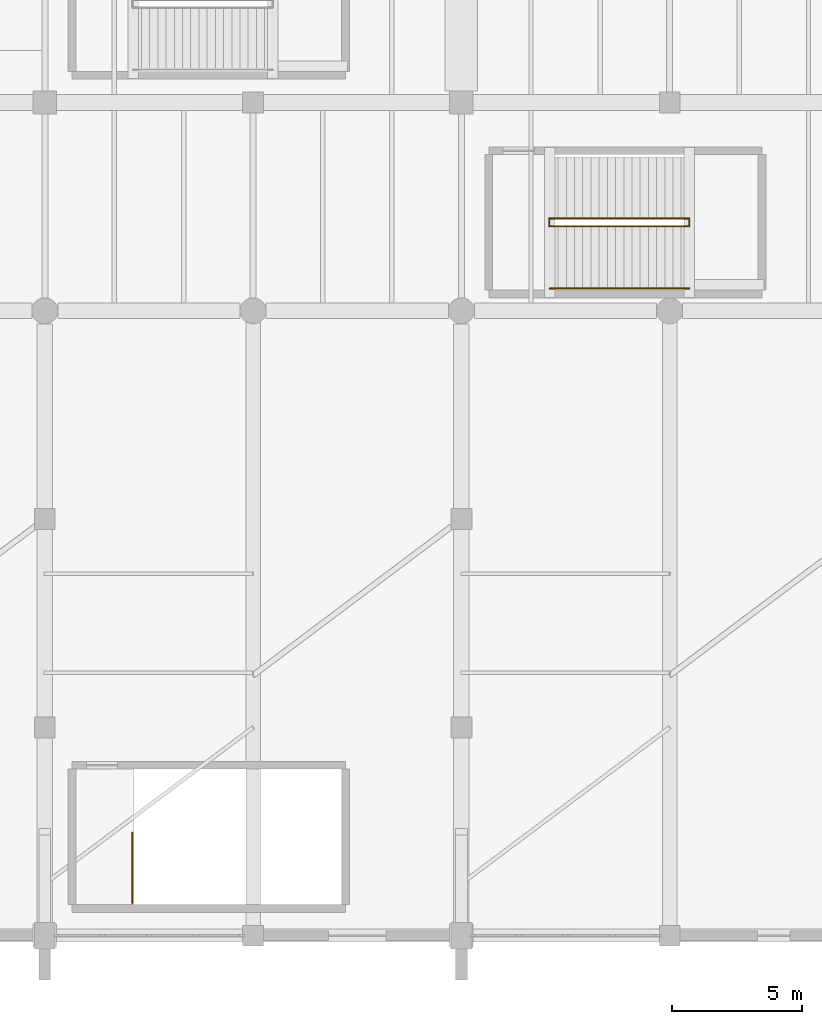
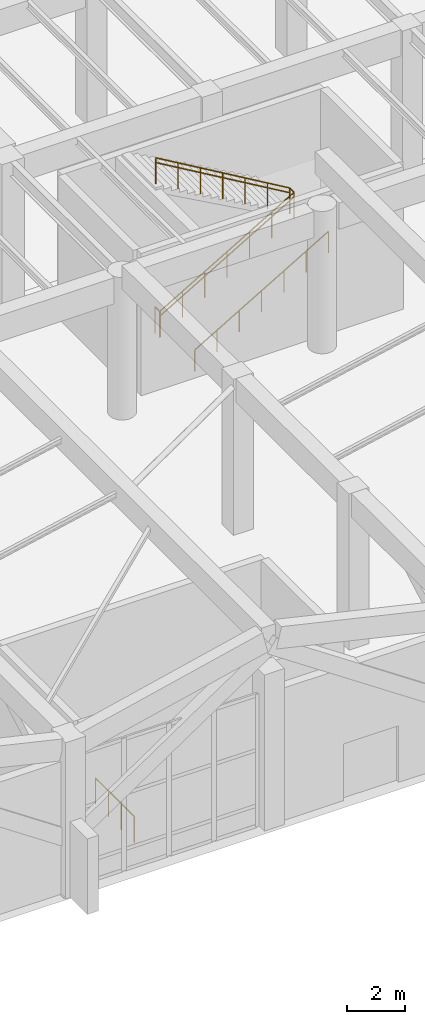
# One storey, part 46 of 51: 7 railings.
"""IFC4 building model written with IfcOpenShell, lengths in metres."""

import ifcopenshell
import ifcopenshell.guid

model = None  # the IFC model being written
_history = None  # IfcOwnerHistory: only IFC2X3 demands one
_inside = {}  # id of a spatial element -> (the spatial element, [elements in it])
_under = {}  # id of a project, library or spatial element -> (it, [spatial elements below it])
_declared = {}  # id of a project -> (the project, [libraries it declares])
_typed = {}  # id of a type object -> (the type object, [elements of that type])
_made_of = {}  # id of a material, layer set ... -> (it, [elements and type objects made of it])


def new_model(schema):
    """Start an empty IFC model of exactly this schema.

    Asked for "IFC4X3", IfcOpenShell would pick the latest addendum, in which some entities
    have other attributes; the version numbers below select the first issue.
    IFC2X3 requires an IfcOwnerHistory on every rooted entity: one is made here for all.
    """
    global model, _history
    if schema == "IFC4X3":
        model = ifcopenshell.file(schema_version=(4, 3, 0, 0))
    else:
        model = ifcopenshell.file(schema=schema)
    _inside.clear()
    _under.clear()
    _declared.clear()
    _typed.clear()
    _made_of.clear()
    _history = None
    if model.schema == "IFC2X3":
        org = make("IfcOrganization", Name="unknown")
        user = make(
            "IfcPersonAndOrganization",
            ThePerson=make("IfcPerson", FamilyName="unknown"),
            TheOrganization=org,
        )
        app = make(
            "IfcApplication",
            ApplicationDeveloper=org,
            Version="unknown",
            ApplicationFullName="unknown",
            ApplicationIdentifier="unknown",
        )
        _history = make(
            "IfcOwnerHistory",
            OwningUser=user,
            OwningApplication=app,
            ChangeAction="ADDED",
            CreationDate=0,
        )
    return model


def make(cls, **values):
    """One entity of the class cls with the attributes given. An attribute that is None is left unset."""
    return model.create_entity(
        cls, **{name: value for name, value in values.items() if value is not None}
    )


def rooted(cls, **values):
    """An entity with a GlobalId (a new one), such as an element, a storey or a relation."""
    return make(cls, GlobalId=ifcopenshell.guid.new(), OwnerHistory=_history, **values)


def si_unit(unit_type, name, prefix=None):
    """IfcSIUnit, for example si_unit("LENGTHUNIT", "METRE", prefix="MILLI")."""
    return make("IfcSIUnit", UnitType=unit_type, Prefix=prefix, Name=name)


def assignment(units):
    """IfcUnitAssignment: the units of a project."""
    return None if units is None else make("IfcUnitAssignment", Units=units)


def point(xyz):
    """IfcCartesianPoint."""
    return None if xyz is None else make("IfcCartesianPoint", Coordinates=xyz)


def direction(xyz):
    """IfcDirection."""
    return None if xyz is None else make("IfcDirection", DirectionRatios=xyz)


def frame(location, z_axis=None, x_axis=None):
    """IfcAxis2Placement3D, a coordinate frame: its origin and axes. An axis left out is left unset."""
    return make(
        "IfcAxis2Placement3D",
        Location=point(location),
        Axis=direction(z_axis),
        RefDirection=direction(x_axis),
    )


def frame_2d(location, x_axis=None):
    """IfcAxis2Placement2D, a coordinate frame in the plane: its origin and x axis."""
    return make(
        "IfcAxis2Placement2D", Location=point(location), RefDirection=direction(x_axis)
    )


def origin():
    """The frame at (0, 0, 0) with its axes left unset."""
    return frame((0.0, 0.0, 0.0))


def origin_2d():
    """The frame at (0, 0) in the plane with its x axis left unset."""
    return frame_2d((0.0, 0.0))


def place(relative_to, where):
    """IfcLocalPlacement: puts the frame where relative to a parent placement (None: the world)."""
    return make(
        "IfcLocalPlacement", PlacementRelTo=relative_to, RelativePlacement=where
    )


def context(
    kind, dimensions, precision=None, world=None, true_north=None, identifier=None
):
    """IfcGeometricRepresentationContext, for example the 3D "Model" context."""
    return make(
        "IfcGeometricRepresentationContext",
        ContextIdentifier=identifier,
        ContextType=kind,
        CoordinateSpaceDimension=dimensions,
        Precision=precision,
        WorldCoordinateSystem=world,
        TrueNorth=true_north,
    )


def subcontext(parent, identifier, kind, view, scale=None):
    """IfcGeometricRepresentationSubContext, for example "Body" below "Model"."""
    return make(
        "IfcGeometricRepresentationSubContext",
        ContextIdentifier=identifier,
        ContextType=kind,
        ParentContext=parent,
        TargetScale=scale,
        TargetView=view,
    )


def project(units=None, contexts=None):
    """IfcProject with its units and contexts."""
    return rooted(
        "IfcProject",
        Name="project",
        RepresentationContexts=contexts,
        UnitsInContext=assignment(units),
    )


def spatial(cls, under=None, at=None, **own):
    """A site, building, storey or space (cls), placed at a placement, below another one or the project."""
    s = rooted(cls, ObjectPlacement=at, **own)
    if under is not None:
        _under.setdefault(under.id(), (under, []))[1].append(s)
    return s


def profile(cls, at=None, kind="AREA", **sizes):
    """A parametric profile (cls). Its sizes go by their IFC names, for example OverallWidth=200.0."""
    return make(cls, ProfileType=kind, Position=at, **sizes)


def circle(**sizes):
    """IfcCircleProfileDef."""
    return profile("IfcCircleProfileDef", **sizes)


def extrude(swept, where, along, depth):
    """IfcExtrudedAreaSolid: the profile swept, set in the frame where, extruded along a direction by depth."""
    return make(
        "IfcExtrudedAreaSolid",
        SweptArea=swept,
        Position=where,
        ExtrudedDirection=direction(along),
        Depth=depth,
    )


def shape(context_of_items, identifier, shape_type, items):
    """IfcShapeRepresentation: the items that make up one representation, for example the "Body"."""
    return make(
        "IfcShapeRepresentation",
        ContextOfItems=context_of_items,
        RepresentationIdentifier=identifier,
        RepresentationType=shape_type,
        Items=items,
    )


def material(Name=None, Category=None):
    """IfcMaterial."""
    return make("IfcMaterial", Name=Name, Category=Category)


def made_of(thing, what):
    """Note that an element or type object is made of a material, layer set ...; save() writes the relation."""
    if what is not None:
        _made_of.setdefault(what.id(), (what, []))[1].append(thing)
    return thing


def type_object(cls, material=None, **own):
    """A type object (cls), such as IfcWallType, which elements share."""
    return made_of(rooted(cls, **own), material)


def element(
    cls,
    number,
    at=None,
    inside=None,
    cuts=None,
    type_object=None,
    material=None,
    context=None,
    identifier="Body",
    shape_type=None,
    held_by="IfcProductDefinitionShape",
    body=None,
    shapes=None,
    **own,
):
    """One element of the class cls, such as IfcWall. Its Tag is "e" and its number.

    at: its placement. inside: the storey or other place that contains it. cuts: it is an
    opening in that element (IfcRelVoidsElement). A single representation is given by context,
    identifier, shape_type and body (its items); several are given by shapes. held_by: the class
    of the entity that holds the representations. save() writes the other relations.
    """
    e = rooted(cls, Tag="e%d" % number, ObjectPlacement=at, **own)
    if body is not None:
        shapes = [shape(context, identifier, shape_type, body)]
    if shapes is not None:
        e.Representation = make(held_by, Representations=shapes)
    if inside is not None:
        _inside.setdefault(inside.id(), (inside, []))[1].append(e)
    if cuts is not None:
        rooted(
            "IfcRelVoidsElement", RelatingBuildingElement=cuts, RelatedOpeningElement=e
        )
    if type_object is not None:
        _typed.setdefault(type_object.id(), (type_object, []))[1].append(e)
    return made_of(e, material)


def aggregate(whole, parts):
    """IfcRelAggregates: a whole, such as a stair, and the parts it consists of."""
    return rooted("IfcRelAggregates", RelatingObject=whole, RelatedObjects=parts)


def save(model, path):
    """Write the relations noted so far, then the file.

    IfcRelAggregates (storeys below a building ...), IfcRelContainedInSpatialStructure (elements
    in a storey), IfcRelDefinesByType, IfcRelAssociatesMaterial and IfcRelDeclares: one each for
    every whole, place, type object, material and project.
    """
    for whole, parts in _under.values():
        aggregate(whole, parts)
    for where, things in _inside.values():
        rooted(
            "IfcRelContainedInSpatialStructure",
            RelatedElements=things,
            RelatingStructure=where,
        )
    for kind, things in _typed.values():
        rooted("IfcRelDefinesByType", RelatedObjects=things, RelatingType=kind)
    for what, things in _made_of.values():
        rooted("IfcRelAssociatesMaterial", RelatedObjects=things, RelatingMaterial=what)
    for by, libraries in _declared.values():
        rooted("IfcRelDeclares", RelatingContext=by, RelatedDefinitions=libraries)
    model.write(path)


model = new_model("IFC4")

# Units and contexts
model_context = context("Model", 3, precision=1e-05, world=origin(), true_north=direction((0.0, 1.0)))
body_context = subcontext(model_context, "Body", "Model", "MODEL_VIEW")
ifc_project = project(units=[si_unit("LENGTHUNIT", "METRE"), si_unit("AREAUNIT", "SQUARE_METRE"), si_unit("VOLUMEUNIT", "CUBIC_METRE"), si_unit("PLANEANGLEUNIT", "RADIAN"), si_unit("MASSUNIT", "GRAM", prefix="KILO")], contexts=[model_context])

# Site, building, storey
site_placement = place(None, origin())
site = spatial("IfcSite", under=ifc_project, at=site_placement, CompositionType="ELEMENT")
building_placement = place(site_placement, origin())
building = spatial("IfcBuilding", under=site, at=building_placement, Name="Varnela Railside Interchange", CompositionType="ELEMENT")
storey_placement = place(building_placement, origin())
storey = spatial("IfcBuildingStorey", under=building, at=storey_placement, Name="L00", CompositionType="ELEMENT", Elevation=0.0)

# Railings
ifc_material = material(Name="Steel AR 350 (350 MPa)", Category="steel")
railing_type_1 = type_object("IfcRailingType", Name="Stair & Ramp Pitch Handrail HR-01", PredefinedType="HANDRAIL", material=ifc_material)
railing_1_placement = place(storey_placement, frame((119.39990234375, 33.25, 0.0)))
element("IfcRailing", 1, at=railing_1_placement, inside=storey, type_object=railing_type_1, Name="Stair Handrail ST-M2 Flight 1 (RL-0232)", PredefinedType="HANDRAIL", context=body_context, shape_type="SweptSolid", body=[
    extrude(circle(Radius=0.02392578125, at=origin_2d()), frame((0.0, 0.0, 0.89599609375), z_axis=(0.861940276329, 0.0, 0.507009822431), x_axis=(0.0, 1.0, 0.0)), (0.0, 0.0, 1.0), 6.212646484375),
    extrude(circle(Radius=0.02099609375, at=origin_2d()), origin(), (0.0, 0.0, 1.0), 0.871826171875),
    extrude(circle(Radius=0.02099609375, at=origin_2d()), frame((0.892578125, 0.0, 0.52490234375)), (0.0, 0.0, 1.0), 0.871826171875),
    extrude(circle(Radius=0.02099609375, at=origin_2d()), frame((1.784912109375, 0.0, 1.050048828125)), (0.0, 0.0, 1.0), 0.871826171875),
    extrude(circle(Radius=0.02099609375, at=origin_2d()), frame((2.677490234375, 0.0, 1.574951171875)), (0.0, 0.0, 1.0), 0.871826171875),
    extrude(circle(Radius=0.02099609375, at=origin_2d()), frame((3.570068359375, 0.0, 2.099853515625)), (0.0, 0.0, 1.0), 0.871826171875),
    extrude(circle(Radius=0.02099609375, at=origin_2d()), frame((4.46240234375, 0.0, 2.625)), (0.0, 0.0, 1.0), 0.871826171875),
    extrude(circle(Radius=0.02099609375, at=origin_2d()), frame((5.35498046875, 0.0, 3.14990234375)), (0.0, 0.0, 1.0), 0.871826171875),
])
railing_2_placement = place(storey_placement, frame((124.7548828125, 33.550048828125, 3.14990234375)))
element("IfcRailing", 2, at=railing_2_placement, inside=storey, type_object=railing_type_1, Name="Stair Handrail ST-M2 Flight 2 (RL-0233)", PredefinedType="HANDRAIL", context=body_context, shape_type="SweptSolid", body=[
    extrude(circle(Radius=0.02392578125, at=origin_2d()), frame((0.0, 0.0, 0.89599609375), z_axis=(-0.861923102912, 0.0, 0.507039016908), x_axis=(0.0, -1.0, 0.0)), (0.0, 0.0, 1.0), 6.212890625),
    extrude(circle(Radius=0.02099609375, at=origin_2d()), origin(), (0.0, 0.0, 1.0), 0.871826171875),
    extrude(circle(Radius=0.02099609375, at=origin_2d()), frame((-0.892578125, 0.0, 0.52490234375)), (0.0, 0.0, 1.0), 0.871826171875),
    extrude(circle(Radius=0.02099609375, at=origin_2d()), frame((-1.784912109375, 0.0, 1.050048828125)), (0.0, 0.0, 1.0), 0.871826171875),
    extrude(circle(Radius=0.02099609375, at=origin_2d()), frame((-2.677490234375, 0.0, 1.5751953125)), (0.0, 0.0, 1.0), 0.871826171875),
    extrude(circle(Radius=0.02099609375, at=origin_2d()), frame((-3.570068359375, 0.0, 2.10009765625)), (0.0, 0.0, 1.0), 0.871826171875),
    extrude(circle(Radius=0.02099609375, at=origin_2d()), frame((-4.46240234375, 0.0, 2.625)), (0.0, 0.0, 1.0), 0.871826171875),
    extrude(circle(Radius=0.02099609375, at=origin_2d()), frame((-5.35498046875, 0.0, 3.150146484375)), (0.0, 0.0, 1.0), 0.871826171875),
])
railing_type_2 = type_object("IfcRailingType", Name="Stair Well & Landing Guard GR-02", PredefinedType="GUARDRAIL", material=ifc_material)
railing_3_placement = place(storey_placement, frame((119.3701171875, 33.25, 0.0)))
element("IfcRailing", 3, at=railing_3_placement, inside=storey, type_object=railing_type_2, Name="Stair Well Slot Guard ST-M2 on L00 (RL-0199)", PredefinedType="GUARDRAIL", context=body_context, shape_type="SweptSolid", body=[
    extrude(circle(Radius=0.02392578125, at=origin_2d()), frame((0.0, 0.0, 1.09619140625), z_axis=(0.0, 1.0, 0.0), x_axis=(-1.0, 0.0, 0.0)), (0.0, 0.0, 1.0), 0.300048828125),
    extrude(circle(Radius=0.02099609375, at=origin_2d()), origin(), (0.0, 0.0, 1.0), 1.072021484375),
    extrude(circle(Radius=0.02099609375, at=origin_2d()), frame((0.0, 0.300048828125, 0.0)), (0.0, 0.0, 1.0), 1.072021484375),
])
railing_4_placement = place(storey_placement, frame((119.39990234375, 33.25, 0.0)))
element("IfcRailing", 4, at=railing_4_placement, inside=storey, type_object=railing_type_2, Name="Stair Guard ST-M2 Half-Landing (RL-0197)", PredefinedType="GUARDRAIL", context=body_context, shape_type="SweptSolid", body=[
    extrude(circle(Radius=0.02392578125, at=origin_2d()), frame((0.0, 0.0, 1.09619140625), z_axis=(0.861940276329, 0.0, 0.507009822431), x_axis=(0.0, 1.0, 0.0)), (0.0, 0.0, 1.0), 6.212646484375),
    extrude(circle(Radius=0.02392578125, at=origin_2d()), frame((5.35498046875, 0.0, 4.24609375), z_axis=(0.0, 1.0, 0.0), x_axis=(-1.0, 0.0, 0.0)), (0.0, 0.0, 1.0), 0.300048828125),
    extrude(circle(Radius=0.02099609375, at=origin_2d()), origin(), (0.0, 0.0, 1.0), 1.072021484375),
    extrude(circle(Radius=0.02099609375, at=origin_2d()), frame((0.892578125, 0.0, 0.52490234375)), (0.0, 0.0, 1.0), 1.072021484375),
    extrude(circle(Radius=0.02099609375, at=origin_2d()), frame((1.784912109375, 0.0, 1.050048828125)), (0.0, 0.0, 1.0), 1.072021484375),
    extrude(circle(Radius=0.02099609375, at=origin_2d()), frame((2.677490234375, 0.0, 1.574951171875)), (0.0, 0.0, 1.0), 1.072021484375),
    extrude(circle(Radius=0.02099609375, at=origin_2d()), frame((3.570068359375, 0.0, 2.099853515625)), (0.0, 0.0, 1.0), 1.072021484375),
    extrude(circle(Radius=0.02099609375, at=origin_2d()), frame((4.46240234375, 0.0, 2.625)), (0.0, 0.0, 1.0), 1.072021484375),
    extrude(circle(Radius=0.02099609375, at=origin_2d()), frame((5.35498046875, 0.0, 3.14990234375)), (0.0, 0.0, 1.0), 1.072021484375),
    extrude(circle(Radius=0.02099609375, at=origin_2d()), frame((5.35498046875, 0.300048828125, 3.14990234375)), (0.0, 0.0, 1.0), 1.072021484375),
])
railing_5_placement = place(storey_placement, frame((124.7548828125, 33.550048828125, 3.14990234375)))
element("IfcRailing", 5, at=railing_5_placement, inside=storey, type_object=railing_type_2, Name="Stair Guard ST-M2 Upper Flight (RL-0198)", PredefinedType="GUARDRAIL", context=body_context, shape_type="SweptSolid", body=[
    extrude(circle(Radius=0.02392578125, at=origin_2d()), frame((0.0, 0.0, 1.09619140625), z_axis=(-0.861923102912, 0.0, 0.507039016908), x_axis=(0.0, -1.0, 0.0)), (0.0, 0.0, 1.0), 6.212890625),
    extrude(circle(Radius=0.02099609375, at=origin_2d()), origin(), (0.0, 0.0, 1.0), 1.072021484375),
    extrude(circle(Radius=0.02099609375, at=origin_2d()), frame((-0.892578125, 0.0, 0.52490234375)), (0.0, 0.0, 1.0), 1.072021484375),
    extrude(circle(Radius=0.02099609375, at=origin_2d()), frame((-1.784912109375, 0.0, 1.050048828125)), (0.0, 0.0, 1.0), 1.072021484375),
    extrude(circle(Radius=0.02099609375, at=origin_2d()), frame((-2.677490234375, 0.0, 1.5751953125)), (0.0, 0.0, 1.0), 1.072021484375),
    extrude(circle(Radius=0.02099609375, at=origin_2d()), frame((-3.570068359375, 0.0, 2.10009765625)), (0.0, 0.0, 1.0), 1.072021484375),
    extrude(circle(Radius=0.02099609375, at=origin_2d()), frame((-4.46240234375, 0.0, 2.625)), (0.0, 0.0, 1.0), 1.072021484375),
    extrude(circle(Radius=0.02099609375, at=origin_2d()), frame((-5.35498046875, 0.0, 3.150146484375)), (0.0, 0.0, 1.0), 1.072021484375),
])
railing_6_placement = place(storey_placement, frame((103.360107421875, 7.260009765625, 0.0)))
element("IfcRailing", 6, at=railing_6_placement, inside=storey, type_object=railing_type_2, Name="Stair Well Arrival Guard ST-M4 on L00 (RL-0201)", PredefinedType="GUARDRAIL", context=body_context, shape_type="SweptSolid", body=[
    extrude(circle(Radius=0.02392578125, at=origin_2d()), frame((0.0, 0.0, 1.09619140625), z_axis=(0.0, 1.0, 0.0), x_axis=(-1.0, 0.0, 0.0)), (0.0, 0.0, 1.0), 2.68994140625),
    extrude(circle(Radius=0.02099609375, at=origin_2d()), origin(), (0.0, 0.0, 1.0), 1.072021484375),
    extrude(circle(Radius=0.02099609375, at=origin_2d()), frame((0.0, 0.896728515625, 0.0)), (0.0, 0.0, 1.0), 1.072021484375),
    extrude(circle(Radius=0.02099609375, at=origin_2d()), frame((0.0, 1.793212890625, 0.0)), (0.0, 0.0, 1.0), 1.072021484375),
    extrude(circle(Radius=0.02099609375, at=origin_2d()), frame((0.0, 2.68994140625, 0.0)), (0.0, 0.0, 1.0), 1.072021484375),
])
railing_type_3 = type_object("IfcRailingType", Name="Wall-Mounted Stair Handrail HR-02", PredefinedType="HANDRAIL", material=ifc_material)
railing_7_placement = place(storey_placement, frame((119.39990234375, 30.860107421875, 0.0)))
element("IfcRailing", 7, at=railing_7_placement, inside=storey, type_object=railing_type_3, Name="Wall Handrail ST-M2 Flight 1 (RL-0254)", PredefinedType="HANDRAIL", context=body_context, shape_type="SweptSolid", body=[
    extrude(circle(Radius=0.02392578125, at=origin_2d()), frame((0.0, 0.0, 0.89599609375), z_axis=(0.861940276329, 0.0, 0.507009822431), x_axis=(0.0, 1.0, 0.0)), (0.0, 0.0, 1.0), 6.212646484375),
    extrude(circle(Radius=0.02099609375, at=origin_2d()), origin(), (0.0, 0.0, 1.0), 0.871826171875),
    extrude(circle(Radius=0.02099609375, at=origin_2d()), frame((0.892578125, 0.0, 0.52490234375)), (0.0, 0.0, 1.0), 0.871826171875),
    extrude(circle(Radius=0.02099609375, at=origin_2d()), frame((1.784912109375, 0.0, 1.050048828125)), (0.0, 0.0, 1.0), 0.871826171875),
    extrude(circle(Radius=0.02099609375, at=origin_2d()), frame((2.677490234375, 0.0, 1.574951171875)), (0.0, 0.0, 1.0), 0.871826171875),
    extrude(circle(Radius=0.02099609375, at=origin_2d()), frame((3.570068359375, 0.0, 2.099853515625)), (0.0, 0.0, 1.0), 0.871826171875),
    extrude(circle(Radius=0.02099609375, at=origin_2d()), frame((4.46240234375, 0.0, 2.625)), (0.0, 0.0, 1.0), 0.871826171875),
    extrude(circle(Radius=0.02099609375, at=origin_2d()), frame((5.35498046875, 0.0, 3.14990234375)), (0.0, 0.0, 1.0), 0.871826171875),
])

save(model, "model.ifc")
